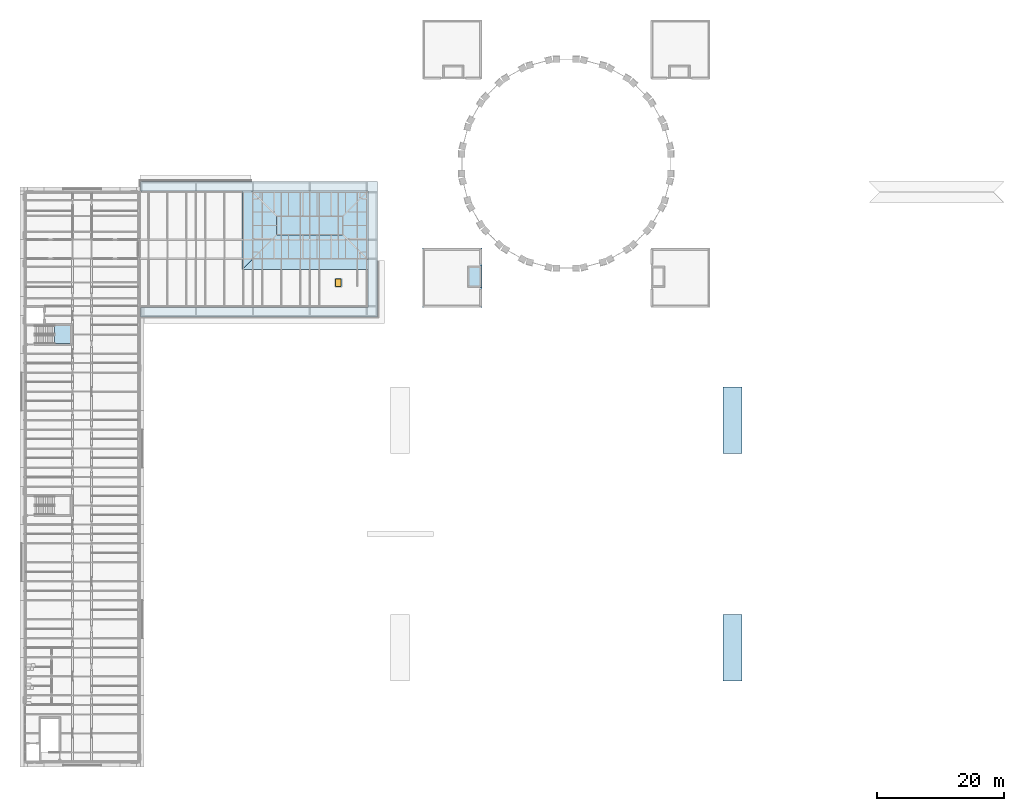
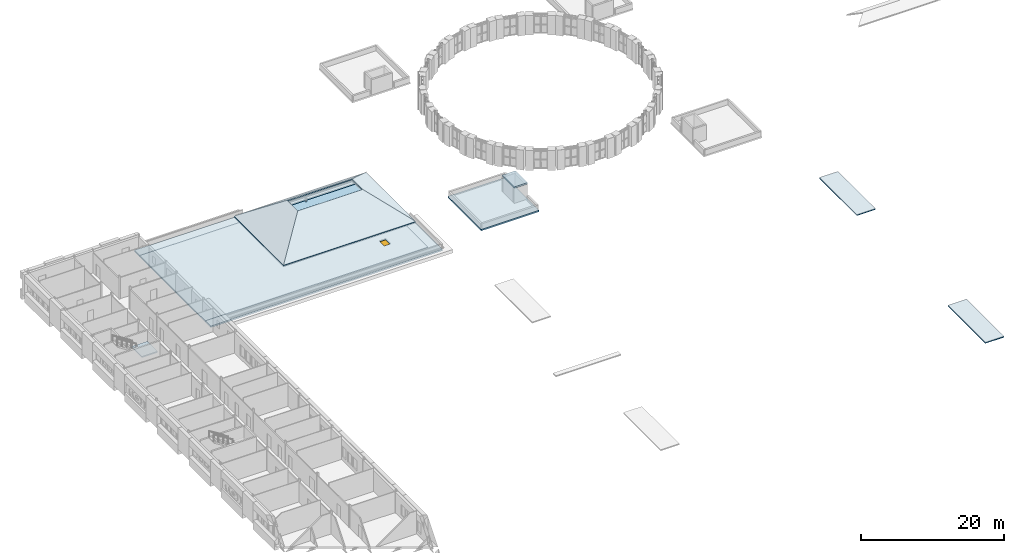
# One storey, part 19 of 42: 11 slabs, 1 window, 1 opening, 1 element without a shape of its own.
"""IFC4 building model written with IfcOpenShell, lengths in metres."""

from ifc_helpers import new_model, si_unit, direction, frame, origin, origin_2d, place, context, subcontext, project, spatial, polyline, rectangle, outline, extrude, material, layer, layer_set, type_object, element, fill, aggregate, save


model = new_model("IFC4")

# Units and contexts
model_context = context("Model", 3, precision=1e-05, world=origin(), true_north=direction((0.0, 1.0)))
body_context = subcontext(model_context, "Body", "Model", "MODEL_VIEW")
ifc_project = project(units=[si_unit("LENGTHUNIT", "METRE"), si_unit("AREAUNIT", "SQUARE_METRE"), si_unit("VOLUMEUNIT", "CUBIC_METRE"), si_unit("PLANEANGLEUNIT", "RADIAN"), si_unit("MASSUNIT", "GRAM", prefix="KILO")], contexts=[model_context])

# Site, building, storey
site_placement = place(None, origin())
site = spatial("IfcSite", under=ifc_project, at=site_placement, CompositionType="ELEMENT")
building_placement = place(site_placement, origin())
building = spatial("IfcBuilding", under=site, at=building_placement, Name="Golden Quay Civic Hall", CompositionType="ELEMENT")
storey_placement = place(building_placement, frame((0.0, 0.0, 22.800048828125)))
storey = spatial("IfcBuildingStorey", under=building, at=storey_placement, Name="L05", CompositionType="ELEMENT", Elevation=22.800048828125)

# Slab, opening, window
ifc_material_1 = material(Name="Concrete C35/45", Category="concrete")
ifc_layer_1 = layer(ifc_material_1, 0.25)
ifc_layer_set_1 = layer_set([ifc_layer_1], Name="Composite roof 250")
slab_type_1 = type_object("IfcSlabType", Name="Composite roof 250", PredefinedType="ROOF", material=ifc_layer_set_1)
slab_1_placement = place(storey_placement, frame((0.0, 0.0, -0.25)))
slab_1 = element("IfcSlab", 1, at=slab_1_placement, inside=storey, type_object=slab_type_1, Name="NW roof", PredefinedType="ROOF", context=body_context, shape_type="SweptSolid", body=[
    extrude(outline(polyline([(54.199951171875, 81.199951171875), (54.199951171875, 62.800048828125), (18.199951171875, 62.800048828125), (18.199951171875, 81.199951171875), (54.199951171875, 81.199951171875)]), holes=[polyline([(36.135009765625, 70.3701171875), (36.135009765625, 70.6298828125), (35.864990234375, 70.6298828125), (35.864990234375, 70.3701171875), (36.135009765625, 70.3701171875)]), polyline([(35.864990234375, 73.3701171875), (36.135009765625, 73.3701171875), (36.135009765625, 73.6298828125), (35.864990234375, 73.6298828125), (35.864990234375, 73.3701171875)]), polyline([(35.885009765625, 81.110107421875), (35.885009765625, 80.889892578125), (36.114990234375, 80.889892578125), (36.114990234375, 81.110107421875), (35.885009765625, 81.110107421875)]), polyline([(45.135009765625, 70.6298828125), (44.864990234375, 70.6298828125), (44.864990234375, 70.3701171875), (45.135009765625, 70.3701171875), (45.135009765625, 70.6298828125)]), polyline([(45.114990234375, 80.889892578125), (45.114990234375, 81.110107421875), (44.885009765625, 81.110107421875), (44.885009765625, 80.889892578125), (45.114990234375, 80.889892578125)]), polyline([(53.885009765625, 70.389892578125), (54.114990234375, 70.389892578125), (54.114990234375, 70.610107421875), (53.885009765625, 70.610107421875), (53.885009765625, 70.389892578125)]), polyline([(53.885009765625, 73.610107421875), (53.885009765625, 73.389892578125), (54.114990234375, 73.389892578125), (54.114990234375, 73.610107421875), (53.885009765625, 73.610107421875)]), polyline([(54.114990234375, 81.110107421875), (53.885009765625, 81.110107421875), (53.885009765625, 80.889892578125), (54.114990234375, 80.889892578125), (54.114990234375, 81.110107421875)])]), origin(), (0.0, 0.0, 1.0), 0.25),
])
opening_placement = place(slab_1_placement, frame((49.5, 66.68798828125, 0.0)))
opening = element("IfcOpeningElement", 2, at=opening_placement, cuts=slab_1, Name="Opening WN12", PredefinedType="OPENING", context=body_context, shape_type="SweptSolid", body=[
    extrude(rectangle(XDim=0.89990234375, YDim=1.199951171875, at=origin_2d()), origin(), (0.0, 0.0, 1.0), 0.25),
])
ifc_material_2 = material(Name="Aluminium, insulated", Category="aluminium")
window_type = type_object("IfcWindowType", Name="Roof access hatch 900 x 1200", PartitioningType="SINGLE_PANEL", PredefinedType="SKYLIGHT", material=ifc_material_2)
window_placement = place(opening_placement, frame((0.0, 0.0, 0.199951171875)))
window = element("IfcWindow", 3, at=window_placement, inside=storey, type_object=window_type, Name="Roof access hatch 900 x 1200 L05 1", OverallHeight=1.199951171875, OverallWidth=0.89990234375, PartitioningType="SINGLE_PANEL", PredefinedType="SKYLIGHT", context=body_context, shape_type="SweptSolid", body=[
    extrude(rectangle(XDim=0.89990234375, YDim=1.199951171875, at=origin_2d()), origin(), (0.0, 0.0, 1.0), 0.050048828125),
])
fill(opening, window)

# Slabs
ifc_material_3 = material(Name="Concrete C35/45", Category="concrete")
ifc_layer_2 = layer(ifc_material_3, 0.14990234375)
ifc_layer_set_2 = layer_set([ifc_layer_2], Name="Concrete roof deck 150, Concrete C35/45")
slab_type_2 = type_object("IfcSlabType", Name="Concrete roof deck 150", PredefinedType="ROOF", material=ifc_layer_set_2)
slab_2_placement = place(storey_placement, frame((0.0, 0.0, -0.297607421875)))
element("IfcSlab", 4, at=slab_2_placement, inside=storey, type_object=slab_type_2, Name="Roof deck EM-S cap", PredefinedType="ROOF", context=body_context, shape_type="SweptSolid", body=[
    extrude(outline(polyline([(110.25, 3.75), (113.25, 3.75), (113.25, 14.25), (110.25, 14.25), (110.25, 3.75)])), origin(), (0.0, 0.0, 1.0), 0.150146484375),
])
slab_3_placement = place(storey_placement, frame((0.0, 0.0, -0.297607421875)))
element("IfcSlab", 5, at=slab_3_placement, inside=storey, type_object=slab_type_2, Name="Roof deck EM-N cap", PredefinedType="ROOF", context=body_context, shape_type="SweptSolid", body=[
    extrude(outline(polyline([(110.25, 39.75), (113.25, 39.75), (113.25, 50.25), (110.25, 50.25), (110.25, 39.75)])), origin(), (0.0, 0.0, 1.0), 0.150146484375),
])
slab_4_placement = place(storey_placement, frame((34.300048828125, 68.800048828125, 0.18994140625), z_axis=(0.0, -0.599994265957, 0.8000043005), x_axis=(1.0, 0.0, 0.0)))
element("IfcSlab", 6, at=slab_4_placement, inside=storey, type_object=slab_type_2, Name="Roof deck NW-E south", PredefinedType="ROOF", context=body_context, shape_type="SweptSolid", body=[
    extrude(outline(polyline([(0.0, 0.0), (21.39990234375, 0.0), (15.949951171875, 6.812402343924989), (5.449951171875, 6.812402343924989), (0.0, 0.0)])), origin(), (0.0, -0.599994265957, -0.8000043005), 0.1875),
])
slab_5_placement = place(storey_placement, frame((34.300048828125, 82.699951171875, 0.18994140625), z_axis=(0.0, 0.599994265957, 0.8000043005), x_axis=(1.0, 0.0, 0.0)))
element("IfcSlab", 7, at=slab_5_placement, inside=storey, type_object=slab_type_2, Name="Roof deck NW-E north", PredefinedType="ROOF", context=body_context, shape_type="SweptSolid", body=[
    extrude(outline(polyline([(0.0, 0.0), (21.39990234375, 0.0), (15.949951171875, -6.812402343924989), (5.449951171875, -6.812402343924989), (0.0, 0.0)])), origin(), (0.0, 0.599994265957, -0.8000043005), 0.1875),
])
slab_6_placement = place(storey_placement, frame((34.300048828125, 68.800048828125, 0.18994140625), z_axis=(-0.599994265957, 0.0, 0.8000043005), x_axis=(0.0, 1.0, 0.0)))
element("IfcSlab", 8, at=slab_6_placement, inside=storey, type_object=slab_type_2, Name="Roof deck NW-E west", PredefinedType="ROOF", context=body_context, shape_type="SweptSolid", body=[
    extrude(outline(polyline([(0.0, 0.0), (13.89990234375, 0.0), (8.449951171875, -6.812402343924989), (5.449951171875, -6.812402343924989), (0.0, 0.0)])), origin(), (0.0, 0.599994265957, -0.8000043005), 0.1875),
])
slab_7_placement = place(storey_placement, frame((55.699951171875, 68.800048828125, 0.18994140625), z_axis=(0.599994265957, 0.0, 0.8000043005), x_axis=(0.0, 1.0, 0.0)))
element("IfcSlab", 9, at=slab_7_placement, inside=storey, type_object=slab_type_2, Name="Roof deck NW-E east", PredefinedType="ROOF", context=body_context, shape_type="SweptSolid", body=[
    extrude(outline(polyline([(0.0, 0.0), (13.89990234375, 0.0), (8.449951171875, 6.812402343924989), (5.449951171875, 6.812402343924989), (0.0, 0.0)])), origin(), (0.0, -0.599994265957, -0.8000043005), 0.1875),
])

# Stair, slab
ifc_material_4 = material(Name="Concrete C35/45", Category="concrete")
stair_type = type_object("IfcStairType", Name="Concrete stair 1350 wide 24 risers of 175.0", PredefinedType="HALF_TURN_STAIR", material=ifc_material_4)
stair_placement = place(storey_placement, origin())
stair = element("IfcStair", 10, at=stair_placement, inside=storey, type_object=stair_type, Name="L05 Stair WO-N", PredefinedType="HALF_TURN_STAIR")
ifc_material_5 = material(Name="Concrete C35/45", Category="concrete")
ifc_layer_3 = layer(ifc_material_5, 0.199951171875)
ifc_layer_set_3 = layer_set([ifc_layer_3], Name="Concrete stair landing 200, Concrete C35/45")
slab_type_3 = type_object("IfcSlabType", Name="Concrete stair landing 200", PredefinedType="LANDING", material=ifc_layer_set_3)
slab_8_placement = place(storey_placement, frame((0.0, 0.0, 1.89990234375)))
slab_8 = element("IfcSlab", 11, at=slab_8_placement, type_object=slab_type_3, Name="WO-N landing 1", PredefinedType="LANDING", context=body_context, shape_type="SweptSolid", body=[
    extrude(outline(polyline([(4.6298828125, 57.074951171875), (7.175048828125, 57.074951171875), (7.175048828125, 59.925048828125), (4.6298828125, 59.925048828125), (4.6298828125, 57.074951171875)])), origin(), (0.0, 0.0, 1.0), 0.199951171875),
])
aggregate(stair, [slab_8])

# Slabs
ifc_material_6 = material(Name="Concrete C40/50", Category="concrete")
ifc_layer_4 = layer(ifc_material_6, 0.25)
ifc_layer_set_4 = layer_set([ifc_layer_4], Name="Core roof slab 250")
slab_type_4 = type_object("IfcSlabType", Name="Core roof slab 250", PredefinedType="ROOF", material=ifc_layer_set_4)
slab_9_placement = place(storey_placement, frame((0.0, 0.0, -0.25)))
element("IfcSlab", 12, at=slab_9_placement, inside=storey, type_object=slab_type_4, Name="Core roof slab SW", PredefinedType="ROOF", context=body_context, shape_type="SweptSolid", body=[
    extrude(outline(polyline([(62.800048828125, 62.800048828125), (72.14990234375, 62.800048828125), (72.14990234375, 72.14990234375), (62.800048828125, 72.14990234375), (62.800048828125, 62.800048828125)])), origin(), (0.0, 0.0, 1.0), 0.25),
])
slab_10_placement = place(storey_placement, frame((0.0, 0.0, 2.599853515625)))
element("IfcSlab", 13, at=slab_10_placement, inside=storey, type_object=slab_type_4, Name="Lift overrun roof SW", PredefinedType="ROOF", context=body_context, shape_type="SweptSolid", body=[
    extrude(outline(polyline([(69.949951171875, 65.949951171875), (72.10009765625, 65.949951171875), (72.10009765625, 69.300048828125), (69.949951171875, 69.300048828125), (69.949951171875, 65.949951171875)])), origin(), (0.0, 0.0, 1.0), 0.25),
])
ifc_material_7 = material(Name="Concrete C35/45", Category="concrete")
ifc_layer_5 = layer(ifc_material_7, 0.25)
ifc_layer_set_5 = layer_set([ifc_layer_5], Name="Eave roof slab 250")
slab_type_5 = type_object("IfcSlabType", Name="Eave roof slab 250", PredefinedType="ROOF", material=ifc_layer_set_5)
slab_11_placement = place(storey_placement, frame((0.0, 0.0, -0.25)))
element("IfcSlab", 14, at=slab_11_placement, inside=storey, type_object=slab_type_5, Name="Eave roof slab 250 L05 1", PredefinedType="ROOF", context=body_context, shape_type="SweptSolid", body=[
    extrude(outline(polyline([(54.199951171875, 81.199951171875), (18.199951171875, 81.199951171875), (18.199951171875, 82.699951171875), (54.199951171875, 82.699951171875), (55.699951171875, 82.699951171875), (55.699951171875, 81.199951171875), (55.699951171875, 62.800048828125), (55.699951171875, 61.300048828125), (54.199951171875, 61.300048828125), (18.199951171875, 61.300048828125), (18.199951171875, 62.800048828125), (54.199951171875, 62.800048828125), (54.199951171875, 81.199951171875)])), origin(), (0.0, 0.0, 1.0), 0.25),
])

save(model, "model.ifc")
